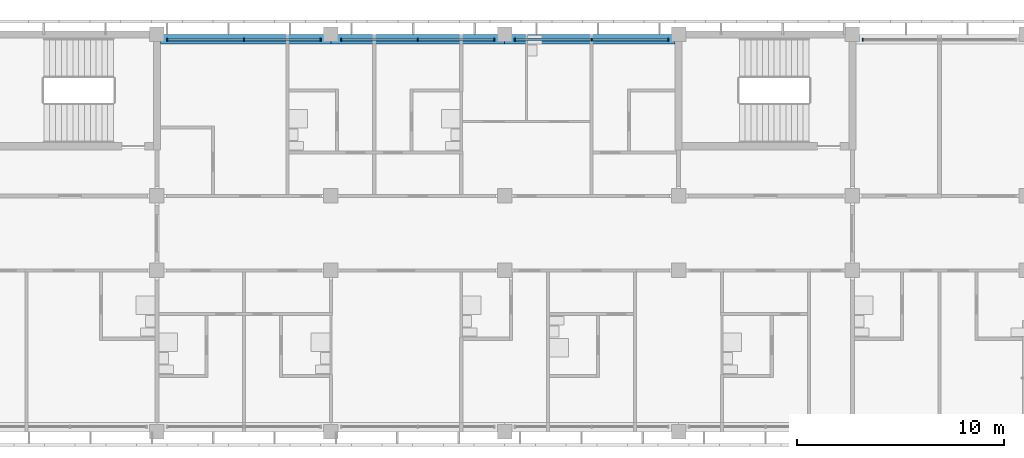
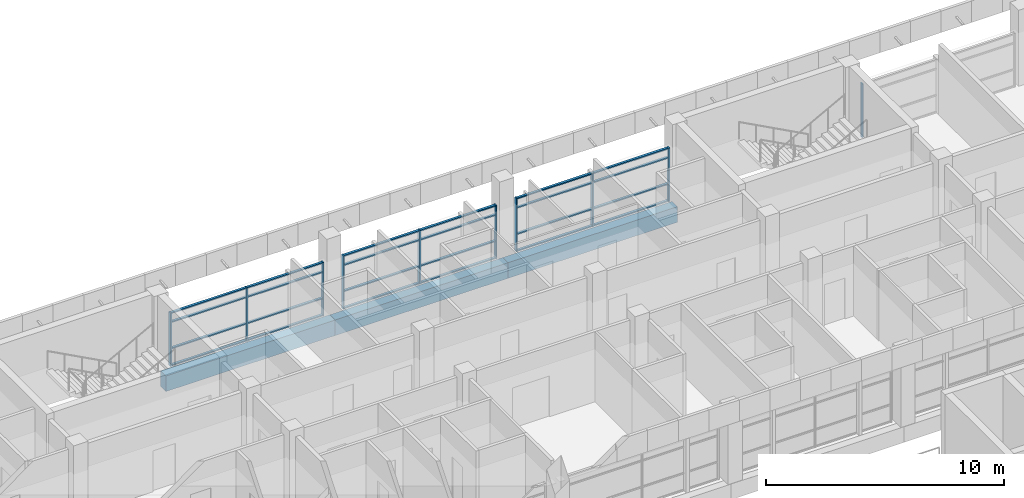
# One storey, part 11 of 46: 34 members, 3 beams, 4 elements without a shape of their own.
"""IFC4 building model written with IfcOpenShell, lengths in metres."""

from ifc_helpers import new_model, si_unit, direction, frame, origin, origin_2d, place, context, subcontext, project, spatial, rectangle, extrude, material, material_profile, profile_set, type_object, element, aggregate, save


model = new_model("IFC4")

# Units and contexts
model_context = context("Model", 3, precision=1e-05, world=origin(), true_north=direction((0.0, 1.0)))
body_context = subcontext(model_context, "Body", "Model", "MODEL_VIEW")
ifc_project = project(units=[si_unit("LENGTHUNIT", "METRE"), si_unit("AREAUNIT", "SQUARE_METRE"), si_unit("VOLUMEUNIT", "CUBIC_METRE"), si_unit("PLANEANGLEUNIT", "RADIAN"), si_unit("MASSUNIT", "GRAM", prefix="KILO")], contexts=[model_context])

# Site, building, storey
site_placement = place(None, origin())
site = spatial("IfcSite", under=ifc_project, at=site_placement, CompositionType="ELEMENT")
building_placement = place(site_placement, origin())
building = spatial("IfcBuilding", under=site, at=building_placement, Name="Bougainvillea Quay General Hospital", CompositionType="ELEMENT")
storey_placement = place(building_placement, frame((0.0, 0.0, 28.800048828125)))
storey = spatial("IfcBuildingStorey", under=building, at=storey_placement, Name="L06", CompositionType="ELEMENT", Elevation=28.800048828125)

# Curtain wall, member
ifc_material_1 = material(Name="Aluminium curtain wall system, powder-coated glazed", Category="aluminium")
curtain_wall_type = type_object("IfcCurtainWallType", Name="Unitised curtain wall CW-3730", PredefinedType="NOTDEFINED", material=ifc_material_1)
curtain_wall_1_placement = place(storey_placement, origin())
curtain_wall_1 = element("IfcCurtainWall", 1, at=curtain_wall_1_placement, inside=storey, type_object=curtain_wall_type, Name="CW-4200 03", PredefinedType="NOTDEFINED")
ifc_material_2 = material(Name="Aluminium mullion, powder-coated charcoal", Category="aluminium")
ifc_material_profile_1 = material_profile(ifc_material_2, rectangle(XDim=0.159912109375, YDim=0.06005859375, at=origin_2d()))
ifc_profile_set_1 = profile_set([ifc_material_profile_1], Name="Aluminium mullion, powder-coated charcoal")
member_type_1 = type_object("IfcMemberType", Name="Curtain wall mullion 160x60", PredefinedType="MULLION", material=ifc_profile_set_1)
member_1_placement = place(storey_placement, frame((143.300048828125, 159.35009765625, 0.0), z_axis=(0.0, 0.0, 1.0), x_axis=(0.0, -1.0, 0.0)))
member_1 = element("IfcMember", 2, at=member_1_placement, type_object=member_type_1, Name="CW-4200 mullion 3", PredefinedType="MULLION", context=body_context, shape_type="SweptSolid", body=[
    extrude(rectangle(XDim=0.159912109375, YDim=0.06005859375, at=origin_2d()), origin(), (0.0, 0.0, 1.0), 2.75),
])
aggregate(curtain_wall_1, [member_1])

# Curtain wall, members
curtain_wall_2_placement = place(storey_placement, origin())
curtain_wall_2 = element("IfcCurtainWall", 3, at=curtain_wall_2_placement, inside=storey, type_object=curtain_wall_type, Name="CW-4200 04", PredefinedType="NOTDEFINED")
member_2_placement = place(storey_placement, frame((133.89990234375, 159.35009765625, 0.0), z_axis=(0.0, 0.0, 1.0), x_axis=(0.0, -1.0, 0.0)))
member_2 = element("IfcMember", 4, at=member_2_placement, type_object=member_type_1, Name="CW-4200 mullion 1", PredefinedType="MULLION", context=body_context, shape_type="SweptSolid", body=[
    extrude(rectangle(XDim=0.159912109375, YDim=0.06005859375, at=origin_2d()), origin(), (0.0, 0.0, 1.0), 2.75),
])
member_3_placement = place(storey_placement, frame((130.199951171875, 159.35009765625, 0.0), z_axis=(0.0, 0.0, 1.0), x_axis=(0.0, -1.0, 0.0)))
member_3 = element("IfcMember", 5, at=member_3_placement, type_object=member_type_1, Name="CW-4200 mullion 2", PredefinedType="MULLION", context=body_context, shape_type="SweptSolid", body=[
    extrude(rectangle(XDim=0.159912109375, YDim=0.06005859375, at=origin_2d()), origin(), (0.0, 0.0, 1.0), 2.75),
])
member_4_placement = place(storey_placement, frame((126.5, 159.35009765625, 0.0), z_axis=(0.0, 0.0, 1.0), x_axis=(0.0, -1.0, 0.0)))
member_4 = element("IfcMember", 6, at=member_4_placement, type_object=member_type_1, Name="CW-4200 mullion 3", PredefinedType="MULLION", context=body_context, shape_type="SweptSolid", body=[
    extrude(rectangle(XDim=0.159912109375, YDim=0.06005859375, at=origin_2d()), origin(), (0.0, 0.0, 1.0), 2.75),
])

curtain_wall_3_placement = place(storey_placement, origin())
curtain_wall_3 = element("IfcCurtainWall", 7, at=curtain_wall_3_placement, inside=storey, type_object=curtain_wall_type, Name="CW-4200 05", PredefinedType="NOTDEFINED")
member_5_placement = place(storey_placement, frame((125.5, 159.35009765625, 0.0), z_axis=(0.0, 0.0, 1.0), x_axis=(0.0, -1.0, 0.0)))
member_5 = element("IfcMember", 8, at=member_5_placement, type_object=member_type_1, Name="CW-4200 mullion 1", PredefinedType="MULLION", context=body_context, shape_type="SweptSolid", body=[
    extrude(rectangle(XDim=0.159912109375, YDim=0.06005859375, at=origin_2d()), origin(), (0.0, 0.0, 1.0), 2.75),
])
member_6_placement = place(storey_placement, frame((121.800048828125, 159.35009765625, 0.0), z_axis=(0.0, 0.0, 1.0), x_axis=(0.0, -1.0, 0.0)))
member_6 = element("IfcMember", 9, at=member_6_placement, type_object=member_type_1, Name="CW-4200 mullion 2", PredefinedType="MULLION", context=body_context, shape_type="SweptSolid", body=[
    extrude(rectangle(XDim=0.159912109375, YDim=0.06005859375, at=origin_2d()), origin(), (0.0, 0.0, 1.0), 2.75),
])
member_7_placement = place(storey_placement, frame((118.10009765625, 159.35009765625, 0.0), z_axis=(0.0, 0.0, 1.0), x_axis=(0.0, -1.0, 0.0)))
member_7 = element("IfcMember", 10, at=member_7_placement, type_object=member_type_1, Name="CW-4200 mullion 3", PredefinedType="MULLION", context=body_context, shape_type="SweptSolid", body=[
    extrude(rectangle(XDim=0.159912109375, YDim=0.06005859375, at=origin_2d()), origin(), (0.0, 0.0, 1.0), 2.75),
])

curtain_wall_4_placement = place(storey_placement, origin())
curtain_wall_4 = element("IfcCurtainWall", 11, at=curtain_wall_4_placement, inside=storey, type_object=curtain_wall_type, Name="CW-4200 06", PredefinedType="NOTDEFINED")
member_8_placement = place(storey_placement, frame((117.10009765625, 159.35009765625, 0.0), z_axis=(0.0, 0.0, 1.0), x_axis=(0.0, -1.0, 0.0)))
member_8 = element("IfcMember", 12, at=member_8_placement, type_object=member_type_1, Name="CW-4200 mullion 1", PredefinedType="MULLION", context=body_context, shape_type="SweptSolid", body=[
    extrude(rectangle(XDim=0.159912109375, YDim=0.06005859375, at=origin_2d()), origin(), (0.0, 0.0, 1.0), 2.75),
])
member_9_placement = place(storey_placement, frame((113.39990234375, 159.35009765625, 0.0), z_axis=(0.0, 0.0, 1.0), x_axis=(0.0, -1.0, 0.0)))
member_9 = element("IfcMember", 13, at=member_9_placement, type_object=member_type_1, Name="CW-4200 mullion 2", PredefinedType="MULLION", context=body_context, shape_type="SweptSolid", body=[
    extrude(rectangle(XDim=0.159912109375, YDim=0.06005859375, at=origin_2d()), origin(), (0.0, 0.0, 1.0), 2.75),
])
member_10_placement = place(storey_placement, frame((109.699951171875, 159.35009765625, 0.0), z_axis=(0.0, 0.0, 1.0), x_axis=(0.0, -1.0, 0.0)))
member_10 = element("IfcMember", 14, at=member_10_placement, type_object=member_type_1, Name="CW-4200 mullion 3", PredefinedType="MULLION", context=body_context, shape_type="SweptSolid", body=[
    extrude(rectangle(XDim=0.159912109375, YDim=0.06005859375, at=origin_2d()), origin(), (0.0, 0.0, 1.0), 2.75),
])

# Member
ifc_material_3 = material(Name="Aluminium transom, powder-coated charcoal", Category="aluminium")
ifc_material_profile_2 = material_profile(ifc_material_3, rectangle(XDim=0.1201171875, YDim=0.06005859375, at=origin_2d()))
ifc_profile_set_2 = profile_set([ifc_material_profile_2], Name="Aluminium transom, powder-coated charcoal")
member_type_2 = type_object("IfcMemberType", Name="Curtain wall transom 120x60", PredefinedType="USERDEFINED", material=ifc_profile_set_2)
member_11_placement = place(storey_placement, frame((133.8701171875, 159.35009765625, 0.030029296875), z_axis=(-1.0, 0.0, 0.0), x_axis=(0.0, -1.0, 0.0)))
member_11 = element("IfcMember", 15, at=member_11_placement, type_object=member_type_2, Name="CW-4200 transom 1.1", ObjectType="TRANSOM", PredefinedType="USERDEFINED", context=body_context, shape_type="SweptSolid", body=[
    extrude(rectangle(XDim=0.1201171875, YDim=0.06005859375, at=origin_2d()), origin(), (0.0, 0.0, 1.0), 3.64013671875),
])

member_12_placement = place(storey_placement, frame((133.8701171875, 159.35009765625, 0.89990234375), z_axis=(-1.0, 0.0, 0.0), x_axis=(0.0, -1.0, 0.0)))
member_12 = element("IfcMember", 16, at=member_12_placement, type_object=member_type_2, Name="CW-4200 transom 1.2", ObjectType="TRANSOM", PredefinedType="USERDEFINED", context=body_context, shape_type="SweptSolid", body=[
    extrude(rectangle(XDim=0.1201171875, YDim=0.06005859375, at=origin_2d()), origin(), (0.0, 0.0, 1.0), 3.64013671875),
])

member_13_placement = place(storey_placement, frame((133.8701171875, 159.35009765625, 2.25), z_axis=(-1.0, 0.0, 0.0), x_axis=(0.0, -1.0, 0.0)))
member_13 = element("IfcMember", 17, at=member_13_placement, type_object=member_type_2, Name="CW-4200 transom 1.3", ObjectType="TRANSOM", PredefinedType="USERDEFINED", context=body_context, shape_type="SweptSolid", body=[
    extrude(rectangle(XDim=0.1201171875, YDim=0.06005859375, at=origin_2d()), origin(), (0.0, 0.0, 1.0), 3.64013671875),
])

member_14_placement = place(storey_placement, frame((133.8701171875, 159.35009765625, 2.719970703125), z_axis=(-1.0, 0.0, 0.0), x_axis=(0.0, -1.0, 0.0)))
member_14 = element("IfcMember", 18, at=member_14_placement, type_object=member_type_2, Name="CW-4200 transom 1.4", ObjectType="TRANSOM", PredefinedType="USERDEFINED", context=body_context, shape_type="SweptSolid", body=[
    extrude(rectangle(XDim=0.1201171875, YDim=0.06005859375, at=origin_2d()), origin(), (0.0, 0.0, 1.0), 3.64013671875),
])

member_15_placement = place(storey_placement, frame((130.169921875, 159.35009765625, 0.030029296875), z_axis=(-1.0, 0.0, 0.0), x_axis=(0.0, -1.0, 0.0)))
member_15 = element("IfcMember", 19, at=member_15_placement, type_object=member_type_2, Name="CW-4200 transom 2.1", ObjectType="TRANSOM", PredefinedType="USERDEFINED", context=body_context, shape_type="SweptSolid", body=[
    extrude(rectangle(XDim=0.1201171875, YDim=0.06005859375, at=origin_2d()), origin(), (0.0, 0.0, 1.0), 3.639892578125),
])

member_16_placement = place(storey_placement, frame((130.169921875, 159.35009765625, 0.89990234375), z_axis=(-1.0, 0.0, 0.0), x_axis=(0.0, -1.0, 0.0)))
member_16 = element("IfcMember", 20, at=member_16_placement, type_object=member_type_2, Name="CW-4200 transom 2.2", ObjectType="TRANSOM", PredefinedType="USERDEFINED", context=body_context, shape_type="SweptSolid", body=[
    extrude(rectangle(XDim=0.1201171875, YDim=0.06005859375, at=origin_2d()), origin(), (0.0, 0.0, 1.0), 3.639892578125),
])

member_17_placement = place(storey_placement, frame((130.169921875, 159.35009765625, 2.25), z_axis=(-1.0, 0.0, 0.0), x_axis=(0.0, -1.0, 0.0)))
member_17 = element("IfcMember", 21, at=member_17_placement, type_object=member_type_2, Name="CW-4200 transom 2.3", ObjectType="TRANSOM", PredefinedType="USERDEFINED", context=body_context, shape_type="SweptSolid", body=[
    extrude(rectangle(XDim=0.1201171875, YDim=0.06005859375, at=origin_2d()), origin(), (0.0, 0.0, 1.0), 3.639892578125),
])

member_18_placement = place(storey_placement, frame((130.169921875, 159.35009765625, 2.719970703125), z_axis=(-1.0, 0.0, 0.0), x_axis=(0.0, -1.0, 0.0)))
member_18 = element("IfcMember", 22, at=member_18_placement, type_object=member_type_2, Name="CW-4200 transom 2.4", ObjectType="TRANSOM", PredefinedType="USERDEFINED", context=body_context, shape_type="SweptSolid", body=[
    extrude(rectangle(XDim=0.1201171875, YDim=0.06005859375, at=origin_2d()), origin(), (0.0, 0.0, 1.0), 3.639892578125),
])

aggregate(curtain_wall_2, [member_2, member_3, member_4, member_11, member_12, member_13, member_14, member_15, member_16, member_17, member_18])

member_19_placement = place(storey_placement, frame((125.469970703125, 159.35009765625, 0.030029296875), z_axis=(-1.0, 0.0, 0.0), x_axis=(0.0, -1.0, 0.0)))
member_19 = element("IfcMember", 23, at=member_19_placement, type_object=member_type_2, Name="CW-4200 transom 1.1", ObjectType="TRANSOM", PredefinedType="USERDEFINED", context=body_context, shape_type="SweptSolid", body=[
    extrude(rectangle(XDim=0.1201171875, YDim=0.06005859375, at=origin_2d()), origin(), (0.0, 0.0, 1.0), 3.639892578125),
])

member_20_placement = place(storey_placement, frame((125.469970703125, 159.35009765625, 0.89990234375), z_axis=(-1.0, 0.0, 0.0), x_axis=(0.0, -1.0, 0.0)))
member_20 = element("IfcMember", 24, at=member_20_placement, type_object=member_type_2, Name="CW-4200 transom 1.2", ObjectType="TRANSOM", PredefinedType="USERDEFINED", context=body_context, shape_type="SweptSolid", body=[
    extrude(rectangle(XDim=0.1201171875, YDim=0.06005859375, at=origin_2d()), origin(), (0.0, 0.0, 1.0), 3.639892578125),
])

member_21_placement = place(storey_placement, frame((125.469970703125, 159.35009765625, 2.25), z_axis=(-1.0, 0.0, 0.0), x_axis=(0.0, -1.0, 0.0)))
member_21 = element("IfcMember", 25, at=member_21_placement, type_object=member_type_2, Name="CW-4200 transom 1.3", ObjectType="TRANSOM", PredefinedType="USERDEFINED", context=body_context, shape_type="SweptSolid", body=[
    extrude(rectangle(XDim=0.1201171875, YDim=0.06005859375, at=origin_2d()), origin(), (0.0, 0.0, 1.0), 3.639892578125),
])

member_22_placement = place(storey_placement, frame((125.469970703125, 159.35009765625, 2.719970703125), z_axis=(-1.0, 0.0, 0.0), x_axis=(0.0, -1.0, 0.0)))
member_22 = element("IfcMember", 26, at=member_22_placement, type_object=member_type_2, Name="CW-4200 transom 1.4", ObjectType="TRANSOM", PredefinedType="USERDEFINED", context=body_context, shape_type="SweptSolid", body=[
    extrude(rectangle(XDim=0.1201171875, YDim=0.06005859375, at=origin_2d()), origin(), (0.0, 0.0, 1.0), 3.639892578125),
])

member_23_placement = place(storey_placement, frame((121.77001953125, 159.35009765625, 0.030029296875), z_axis=(-1.0, 0.0, 0.0), x_axis=(0.0, -1.0, 0.0)))
member_23 = element("IfcMember", 27, at=member_23_placement, type_object=member_type_2, Name="CW-4200 transom 2.1", ObjectType="TRANSOM", PredefinedType="USERDEFINED", context=body_context, shape_type="SweptSolid", body=[
    extrude(rectangle(XDim=0.1201171875, YDim=0.06005859375, at=origin_2d()), origin(), (0.0, 0.0, 1.0), 3.64013671875),
])

member_24_placement = place(storey_placement, frame((121.77001953125, 159.35009765625, 0.89990234375), z_axis=(-1.0, 0.0, 0.0), x_axis=(0.0, -1.0, 0.0)))
member_24 = element("IfcMember", 28, at=member_24_placement, type_object=member_type_2, Name="CW-4200 transom 2.2", ObjectType="TRANSOM", PredefinedType="USERDEFINED", context=body_context, shape_type="SweptSolid", body=[
    extrude(rectangle(XDim=0.1201171875, YDim=0.06005859375, at=origin_2d()), origin(), (0.0, 0.0, 1.0), 3.64013671875),
])

member_25_placement = place(storey_placement, frame((121.77001953125, 159.35009765625, 2.25), z_axis=(-1.0, 0.0, 0.0), x_axis=(0.0, -1.0, 0.0)))
member_25 = element("IfcMember", 29, at=member_25_placement, type_object=member_type_2, Name="CW-4200 transom 2.3", ObjectType="TRANSOM", PredefinedType="USERDEFINED", context=body_context, shape_type="SweptSolid", body=[
    extrude(rectangle(XDim=0.1201171875, YDim=0.06005859375, at=origin_2d()), origin(), (0.0, 0.0, 1.0), 3.64013671875),
])

member_26_placement = place(storey_placement, frame((121.77001953125, 159.35009765625, 2.719970703125), z_axis=(-1.0, 0.0, 0.0), x_axis=(0.0, -1.0, 0.0)))
member_26 = element("IfcMember", 30, at=member_26_placement, type_object=member_type_2, Name="CW-4200 transom 2.4", ObjectType="TRANSOM", PredefinedType="USERDEFINED", context=body_context, shape_type="SweptSolid", body=[
    extrude(rectangle(XDim=0.1201171875, YDim=0.06005859375, at=origin_2d()), origin(), (0.0, 0.0, 1.0), 3.64013671875),
])

aggregate(curtain_wall_3, [member_5, member_6, member_7, member_19, member_20, member_21, member_22, member_23, member_24, member_25, member_26])

member_27_placement = place(storey_placement, frame((117.070068359375, 159.35009765625, 0.030029296875), z_axis=(-1.0, 0.0, 0.0), x_axis=(0.0, -1.0, 0.0)))
member_27 = element("IfcMember", 31, at=member_27_placement, type_object=member_type_2, Name="CW-4200 transom 1.1", ObjectType="TRANSOM", PredefinedType="USERDEFINED", context=body_context, shape_type="SweptSolid", body=[
    extrude(rectangle(XDim=0.1201171875, YDim=0.06005859375, at=origin_2d()), origin(), (0.0, 0.0, 1.0), 3.64013671875),
])

member_28_placement = place(storey_placement, frame((117.070068359375, 159.35009765625, 0.89990234375), z_axis=(-1.0, 0.0, 0.0), x_axis=(0.0, -1.0, 0.0)))
member_28 = element("IfcMember", 32, at=member_28_placement, type_object=member_type_2, Name="CW-4200 transom 1.2", ObjectType="TRANSOM", PredefinedType="USERDEFINED", context=body_context, shape_type="SweptSolid", body=[
    extrude(rectangle(XDim=0.1201171875, YDim=0.06005859375, at=origin_2d()), origin(), (0.0, 0.0, 1.0), 3.64013671875),
])

member_29_placement = place(storey_placement, frame((117.070068359375, 159.35009765625, 2.25), z_axis=(-1.0, 0.0, 0.0), x_axis=(0.0, -1.0, 0.0)))
member_29 = element("IfcMember", 33, at=member_29_placement, type_object=member_type_2, Name="CW-4200 transom 1.3", ObjectType="TRANSOM", PredefinedType="USERDEFINED", context=body_context, shape_type="SweptSolid", body=[
    extrude(rectangle(XDim=0.1201171875, YDim=0.06005859375, at=origin_2d()), origin(), (0.0, 0.0, 1.0), 3.64013671875),
])

member_30_placement = place(storey_placement, frame((117.070068359375, 159.35009765625, 2.719970703125), z_axis=(-1.0, 0.0, 0.0), x_axis=(0.0, -1.0, 0.0)))
member_30 = element("IfcMember", 34, at=member_30_placement, type_object=member_type_2, Name="CW-4200 transom 1.4", ObjectType="TRANSOM", PredefinedType="USERDEFINED", context=body_context, shape_type="SweptSolid", body=[
    extrude(rectangle(XDim=0.1201171875, YDim=0.06005859375, at=origin_2d()), origin(), (0.0, 0.0, 1.0), 3.64013671875),
])

member_31_placement = place(storey_placement, frame((113.3701171875, 159.35009765625, 0.030029296875), z_axis=(-1.0, 0.0, 0.0), x_axis=(0.0, -1.0, 0.0)))
member_31 = element("IfcMember", 35, at=member_31_placement, type_object=member_type_2, Name="CW-4200 transom 2.1", ObjectType="TRANSOM", PredefinedType="USERDEFINED", context=body_context, shape_type="SweptSolid", body=[
    extrude(rectangle(XDim=0.1201171875, YDim=0.06005859375, at=origin_2d()), origin(), (0.0, 0.0, 1.0), 3.64013671875),
])

member_32_placement = place(storey_placement, frame((113.3701171875, 159.35009765625, 0.89990234375), z_axis=(-1.0, 0.0, 0.0), x_axis=(0.0, -1.0, 0.0)))
member_32 = element("IfcMember", 36, at=member_32_placement, type_object=member_type_2, Name="CW-4200 transom 2.2", ObjectType="TRANSOM", PredefinedType="USERDEFINED", context=body_context, shape_type="SweptSolid", body=[
    extrude(rectangle(XDim=0.1201171875, YDim=0.06005859375, at=origin_2d()), origin(), (0.0, 0.0, 1.0), 3.64013671875),
])

member_33_placement = place(storey_placement, frame((113.3701171875, 159.35009765625, 2.25), z_axis=(-1.0, 0.0, 0.0), x_axis=(0.0, -1.0, 0.0)))
member_33 = element("IfcMember", 37, at=member_33_placement, type_object=member_type_2, Name="CW-4200 transom 2.3", ObjectType="TRANSOM", PredefinedType="USERDEFINED", context=body_context, shape_type="SweptSolid", body=[
    extrude(rectangle(XDim=0.1201171875, YDim=0.06005859375, at=origin_2d()), origin(), (0.0, 0.0, 1.0), 3.64013671875),
])

member_34_placement = place(storey_placement, frame((113.3701171875, 159.35009765625, 2.719970703125), z_axis=(-1.0, 0.0, 0.0), x_axis=(0.0, -1.0, 0.0)))
member_34 = element("IfcMember", 38, at=member_34_placement, type_object=member_type_2, Name="CW-4200 transom 2.4", ObjectType="TRANSOM", PredefinedType="USERDEFINED", context=body_context, shape_type="SweptSolid", body=[
    extrude(rectangle(XDim=0.1201171875, YDim=0.06005859375, at=origin_2d()), origin(), (0.0, 0.0, 1.0), 3.64013671875),
])

aggregate(curtain_wall_4, [member_8, member_9, member_10, member_27, member_28, member_29, member_30, member_31, member_32, member_33, member_34])

# Beams
ifc_material_4 = material(Name="Concrete C40", Category="concrete")
ifc_material_profile_3 = material_profile(ifc_material_4, rectangle(XDim=0.449951171875, YDim=0.800048828125, at=origin_2d()))
ifc_profile_set_3 = profile_set([ifc_material_profile_3], Name="Concrete C40")
beam_type = type_object("IfcBeamType", Name="RC BEAM 450x800 C40", PredefinedType="BEAM", material=ifc_profile_set_3)
beam_1_placement = place(storey_placement, frame((134.22509765625, 159.375, -0.699951171875), z_axis=(-1.0, 0.0, 0.0), x_axis=(0.0, -1.0, 0.0)))
element("IfcBeam", 39, at=beam_1_placement, inside=storey, type_object=beam_type, Name="Edge beam L06", PredefinedType="BEAM", context=body_context, shape_type="SweptSolid", body=[
    extrude(rectangle(XDim=0.449951171875, YDim=0.800048828125, at=origin_2d()), origin(), (0.0, 0.0, 1.0), 8.22509765625),
])
beam_2_placement = place(storey_placement, frame((126.0, 159.375, -0.699951171875), z_axis=(-1.0, 0.0, 0.0), x_axis=(0.0, -1.0, 0.0)))
element("IfcBeam", 40, at=beam_2_placement, inside=storey, type_object=beam_type, Name="Edge beam L06", PredefinedType="BEAM", context=body_context, shape_type="SweptSolid", body=[
    extrude(rectangle(XDim=0.449951171875, YDim=0.800048828125, at=origin_2d()), origin(), (0.0, 0.0, 1.0), 8.39990234375),
])
beam_3_placement = place(storey_placement, frame((117.60009765625, 159.375, -0.699951171875), z_axis=(-1.0, 0.0, 0.0), x_axis=(0.0, -1.0, 0.0)))
element("IfcBeam", 41, at=beam_3_placement, inside=storey, type_object=beam_type, Name="Edge beam L06", PredefinedType="BEAM", context=body_context, shape_type="SweptSolid", body=[
    extrude(rectangle(XDim=0.449951171875, YDim=0.800048828125, at=origin_2d()), origin(), (0.0, 0.0, 1.0), 8.22509765625),
])

save(model, "model.ifc")
